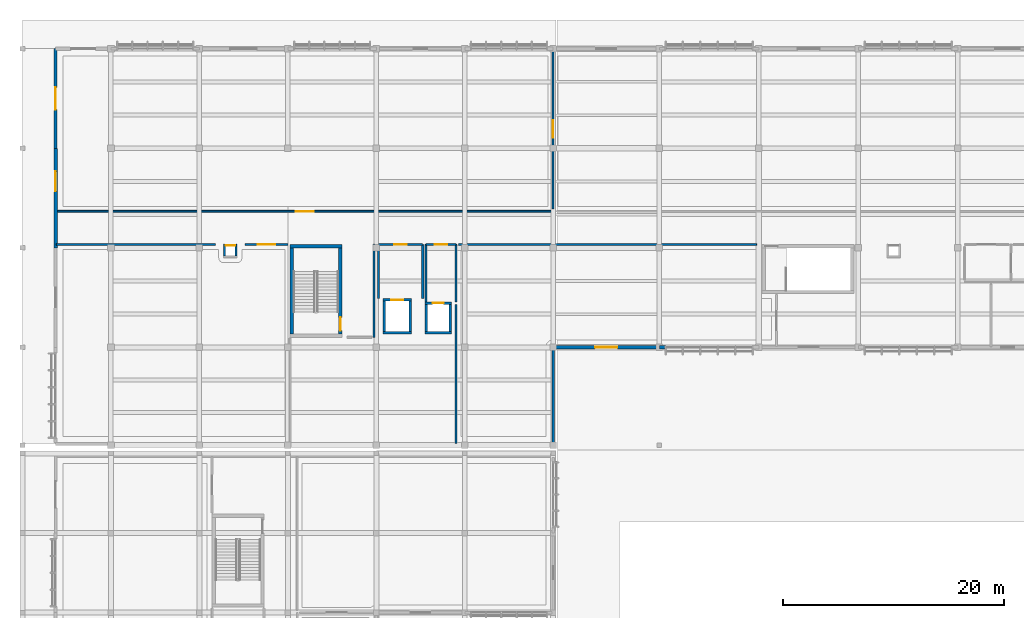
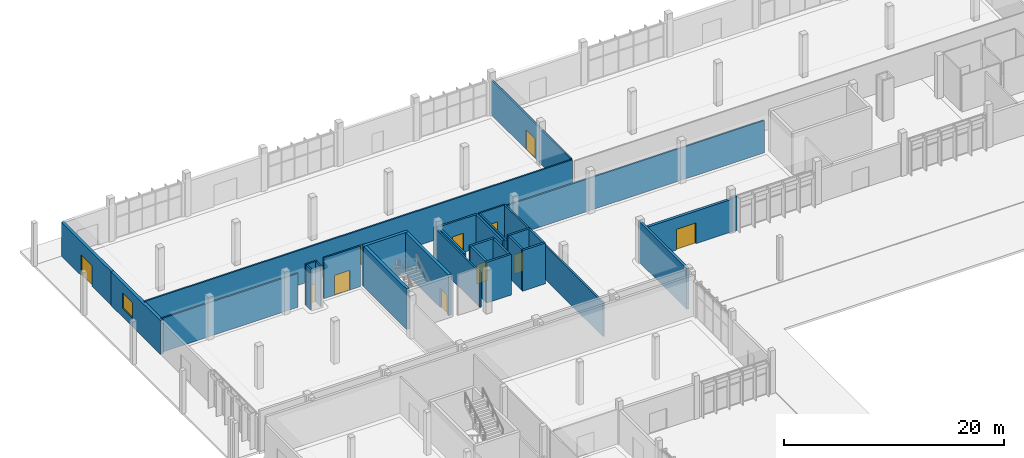
# One storey, part 122 of 151: 32 walls, 11 doors, 1 window, 12 openings.
"""IFC4 building model written with IfcOpenShell, lengths in metres."""

from ifc_helpers import new_model, si_unit, direction, frame, frame_2d, origin, place, context, subcontext, project, spatial, rectangle, extrude, material, layer, layer_set, type_object, element, fill, save


model = new_model("IFC4")

# Units and contexts
model_context = context("Model", 3, precision=1e-05, world=origin(), true_north=direction((0.0, 1.0)))
body_context = subcontext(model_context, "Body", "Model", "MODEL_VIEW")
ifc_project = project(units=[si_unit("LENGTHUNIT", "METRE"), si_unit("AREAUNIT", "SQUARE_METRE"), si_unit("VOLUMEUNIT", "CUBIC_METRE"), si_unit("PLANEANGLEUNIT", "RADIAN"), si_unit("MASSUNIT", "GRAM", prefix="KILO")], contexts=[model_context])

# Site, building, storey
site_placement = place(None, origin())
site = spatial("IfcSite", under=ifc_project, at=site_placement, CompositionType="ELEMENT")
building_placement = place(site_placement, origin())
building = spatial("IfcBuilding", under=site, at=building_placement, Name="Chiffa Square Polytechnic", CompositionType="ELEMENT")
storey_placement = place(building_placement, origin())
storey = spatial("IfcBuildingStorey", under=building, at=storey_placement, Name="L00", CompositionType="ELEMENT", Elevation=0.0)

# Walls
ifc_material_1 = material(Name="Concrete C40/50", Category="concrete")
ifc_layer_1 = layer(ifc_material_1, 0.300048828125, Name="Concrete C40/50")
ifc_layer_set_1 = layer_set([ifc_layer_1], Name="Concrete C40/50")
wall_type_1 = type_object("IfcWallType", Name="WL-CORE-300", PredefinedType="SHEAR", material=ifc_layer_set_1)
wall_1_placement = place(storey_placement, frame((24.199951171875, 112.949951171875, 0.0), z_axis=(0.0, 0.0, 1.0), x_axis=(1.0, 0.0, 0.0)))
element("IfcWall", 1, at=wall_1_placement, inside=storey, type_object=wall_type_1, Name="Core or enclosure wall WC-CORE-V5A-L00-NORTH", PredefinedType="SHEAR", context=body_context, shape_type="SweptSolid", body=[
    extrude(rectangle(XDim=4.699951171875, YDim=0.300048828125, at=frame_2d((2.35009765625, 0.0))), origin(), (0.0, 0.0, 1.0), 4.52001953125),
])
wall_2_placement = place(storey_placement, frame((24.35009765625, 105.0, 0.0), z_axis=(0.0, 0.0, 1.0), x_axis=(0.0, 1.0, 0.0)))
element("IfcWall", 2, at=wall_2_placement, inside=storey, type_object=wall_type_1, Name="Core or enclosure wall WC-CORE-V5A-L00-WEST", PredefinedType="SHEAR", context=body_context, shape_type="SweptSolid", body=[
    extrude(rectangle(XDim=7.800048828125, YDim=0.300048828125, at=frame_2d((3.89990234375, 0.0))), origin(), (0.0, 0.0, 1.0), 4.52001953125),
])

# Wall, opening, door
wall_3_placement = place(storey_placement, frame((28.75, 105.0, 0.0), z_axis=(0.0, 0.0, 1.0), x_axis=(0.0, 1.0, 0.0)))
wall_3 = element("IfcWall", 3, at=wall_3_placement, inside=storey, type_object=wall_type_1, Name="Core or enclosure wall WC-CORE-V5A-L00-EAST", PredefinedType="SHEAR", context=body_context, shape_type="SweptSolid", body=[
    extrude(rectangle(XDim=7.800048828125, YDim=0.300048828125, at=frame_2d((3.89990234375, 0.0))), origin(), (0.0, 0.0, 1.0), 4.52001953125),
])
opening_1_placement = place(wall_3_placement, frame((0.300048828125, 0.0, 0.0)))
opening_1 = element("IfcOpeningElement", 4, at=opening_1_placement, cuts=wall_3, Name="Opening DS-L00-032", PredefinedType="OPENING", context=body_context, shape_type="SweptSolid", body=[
    extrude(rectangle(XDim=1.199951171875, YDim=2.14990234375, at=frame_2d((0.60009765625, 1.074951171875))), frame((0.0, 0.16015625, 0.0), z_axis=(0.0, -1.0, 0.0), x_axis=(1.0, 0.0, 0.0)), (0.0, 0.0, 1.0), 0.320068359375),
])
ifc_material_2 = material(Name="Fire-rated painted steel leaf", Category="steel")
door_type_1 = type_object("IfcDoorType", Name="DR-STAIR-1200", OperationType="NOTDEFINED", PredefinedType="DOOR", material=ifc_material_2)
door_1_placement = place(opening_1_placement, origin())
door_1 = element("IfcDoor", 5, at=door_1_placement, inside=storey, type_object=door_type_1, Name="Enclosure door DS-L00-032", OperationType="SINGLE_SWING_RIGHT", OverallHeight=2.14990234375, OverallWidth=1.199951171875, PredefinedType="DOOR", context=body_context, shape_type="SweptSolid", body=[
    extrude(rectangle(XDim=1.199951171875, YDim=2.14990234375, at=frame_2d((0.60009765625, 1.074951171875))), frame((0.0, 0.02490234375, 0.0), z_axis=(0.0, -1.0, 0.0), x_axis=(1.0, 0.0, 0.0)), (0.0, 0.0, 1.0), 0.050048828125),
])
fill(opening_1, door_1)

ifc_material_3 = material(Name="Precast concrete C40/50", Category="concrete")
ifc_layer_2 = layer(ifc_material_3, 0.280029296875, Name="Precast concrete C40/50")
ifc_layer_set_2 = layer_set([ifc_layer_2], Name="Precast concrete C40/50")
wall_type_2 = type_object("IfcWallType", Name="WL-EXT-PC280", PredefinedType="SOLIDWALL", material=ifc_layer_set_2)
wall_4_placement = place(storey_placement, frame((48.0, 103.800048828125, 0.0), z_axis=(0.0, 0.0, 1.0), x_axis=(1.0, 0.0, 0.0)))
wall_4 = element("IfcWall", 6, at=wall_4_placement, inside=storey, type_object=wall_type_2, Name="Exterior wall WE-V5-L00-0223", PredefinedType="SOLIDWALL", context=body_context, shape_type="SweptSolid", body=[
    extrude(rectangle(XDim=9.60009765625, YDim=0.280029296875, at=frame_2d((4.800048828125, 0.0))), origin(), (0.0, 0.0, 1.0), 3.60498046875),
])
opening_2_placement = place(wall_4_placement, frame((3.800048828125, 0.0, 0.0)))
opening_2 = element("IfcOpeningElement", 7, at=opening_2_placement, cuts=wall_4, Name="Opening DE-L00-042", PredefinedType="OPENING", context=body_context, shape_type="SweptSolid", body=[
    extrude(rectangle(XDim=2.0, YDim=2.300048828125, at=frame_2d((1.0, 1.14990234375))), frame((0.0, 0.14990234375, 0.0), z_axis=(0.0, -1.0, 0.0), x_axis=(1.0, 0.0, 0.0)), (0.0, 0.0, 1.0), 0.300048828125),
])
ifc_material_4 = material(Name="Aluminium and laminated safety glass", Category="aluminium")
door_type_2 = type_object("IfcDoorType", Name="DR-EXIT-DBL-2000", OperationType="DOUBLE_DOOR_SINGLE_SWING", PredefinedType="DOOR", material=ifc_material_4)
door_2_placement = place(opening_2_placement, origin())
door_2 = element("IfcDoor", 8, at=door_2_placement, inside=storey, type_object=door_type_2, Name="Exterior door DE-L00-042", OperationType="DOUBLE_DOOR_SINGLE_SWING", OverallHeight=2.300048828125, OverallWidth=2.0, PredefinedType="DOOR", context=body_context, shape_type="SweptSolid", body=[
    extrude(rectangle(XDim=2.0, YDim=2.300048828125, at=frame_2d((1.0, 1.14990234375))), frame((0.0, 0.02490234375, 0.0), z_axis=(0.0, -1.0, 0.0), x_axis=(1.0, 0.0, 0.0)), (0.0, 0.0, 1.0), 0.050048828125),
])
fill(opening_2, door_2)

wall_5_placement = place(storey_placement, frame((3.0, 130.800048828125, 0.0), z_axis=(0.0, 0.0, 1.0), x_axis=(0.0, -1.0, 0.0)))
wall_5 = element("IfcWall", 9, at=wall_5_placement, inside=storey, type_object=wall_type_2, Name="Exterior wall WE-V5-L00-0253", PredefinedType="SOLIDWALL", context=body_context, shape_type="SweptSolid", body=[
    extrude(rectangle(XDim=9.0, YDim=0.280029296875, at=frame_2d((4.5, 0.0))), origin(), (0.0, 0.0, 1.0), 3.7548828125),
])
opening_3_placement = place(wall_5_placement, frame((3.5, 0.0, 0.0)))
opening_3 = element("IfcOpeningElement", 10, at=opening_3_placement, cuts=wall_5, Name="Opening DE-L00-057", PredefinedType="OPENING", context=body_context, shape_type="SweptSolid", body=[
    extrude(rectangle(XDim=2.0, YDim=2.300048828125, at=frame_2d((1.0, 1.14990234375))), frame((0.0, 0.14990234375, 0.0), z_axis=(0.0, -1.0, 0.0), x_axis=(1.0, 0.0, 0.0)), (0.0, 0.0, 1.0), 0.300048828125),
])
door_3_placement = place(opening_3_placement, origin())
door_3 = element("IfcDoor", 11, at=door_3_placement, inside=storey, type_object=door_type_2, Name="Exterior door DE-L00-057", OperationType="DOUBLE_DOOR_SINGLE_SWING", OverallHeight=2.300048828125, OverallWidth=2.0, PredefinedType="DOOR", context=body_context, shape_type="SweptSolid", body=[
    extrude(rectangle(XDim=2.0, YDim=2.300048828125, at=frame_2d((1.0, 1.14990234375))), frame((0.0, 0.02490234375, 0.0), z_axis=(0.0, -1.0, 0.0), x_axis=(1.0, 0.0, 0.0)), (0.0, 0.0, 1.0), 0.050048828125),
])
fill(opening_3, door_3)

# Wall
ifc_layer_3 = layer(ifc_material_3, 0.320068359375, Name="Precast concrete C40/50")
ifc_layer_set_3 = layer_set([ifc_layer_3], Name="Precast concrete C40/50")
wall_type_3 = type_object("IfcWallType", Name="WL-EXT-PC320", PredefinedType="SOLIDWALL", material=ifc_layer_set_3)
wall_6_placement = place(storey_placement, frame((57.60009765625, 103.800048828125, 0.0), z_axis=(0.0, 0.0, 1.0), x_axis=(1.0, 0.0, 0.0)))
element("IfcWall", 12, at=wall_6_placement, inside=storey, type_object=wall_type_3, Name="Facade column pier V5-L00-0224L", PredefinedType="SOLIDWALL", context=body_context, shape_type="SweptSolid", body=[
    extrude(rectangle(XDim=0.539794921875, YDim=0.320068359375, at=frame_2d((0.27001953125, 0.0))), origin(), (0.0, 0.0, 1.0), 3.7548828125),
])

# Wall, opening, window
wall_7_placement = place(storey_placement, frame((3.0, 121.800048828125, 0.0), z_axis=(0.0, 0.0, 1.0), x_axis=(0.0, -1.0, 0.0)))
wall_7 = element("IfcWall", 13, at=wall_7_placement, inside=storey, type_object=wall_type_3, Name="Exterior wall WE-V5-L00-0254", PredefinedType="SOLIDWALL", context=body_context, shape_type="SweptSolid", body=[
    extrude(rectangle(XDim=9.0, YDim=0.320068359375, at=frame_2d((4.5, 0.0))), origin(), (0.0, 0.0, 1.0), 3.7548828125),
])
opening_4_placement = place(wall_7_placement, frame((2.10009765625, 0.0, 0.949951171875)))
opening_4 = element("IfcOpeningElement", 14, at=opening_4_placement, cuts=wall_7, Name="Opening W-05", PredefinedType="OPENING", context=body_context, shape_type="SweptSolid", body=[
    extrude(rectangle(XDim=1.800048828125, YDim=1.75, at=frame_2d((0.89990234375, 0.875))), frame((0.0, 0.169921875, 0.0), z_axis=(0.0, -1.0, 0.0), x_axis=(1.0, 0.0, 0.0)), (0.0, 0.0, 1.0), 0.340087890625),
])
ifc_material_5 = material(Name="Double glazing in thermally broken aluminium frame", Category="aluminium")
window_type = type_object("IfcWindowType", Name="WIN-LAB-1800X1750", PartitioningType="DOUBLE_PANEL_VERTICAL", PredefinedType="WINDOW", material=ifc_material_5)
window_placement = place(opening_4_placement, origin())
window = element("IfcWindow", 15, at=window_placement, inside=storey, type_object=window_type, Name="Facade window WN-L00-0151", OverallHeight=1.75, OverallWidth=1.800048828125, PartitioningType="DOUBLE_PANEL_VERTICAL", PredefinedType="WINDOW", context=body_context, shape_type="SweptSolid", body=[
    extrude(rectangle(XDim=1.800048828125, YDim=1.75, at=frame_2d((0.89990234375, 0.875))), frame((0.0, 0.030029296875, 0.0), z_axis=(0.0, -1.0, 0.0), x_axis=(1.0, 0.0, 0.0)), (0.0, 0.0, 1.0), 0.06005859375),
])
fill(opening_4, window)

# Wall, opening, door
ifc_material_6 = material(Name="Autoclaved aerated concrete blockwork", Category="masonry")
ifc_layer_4 = layer(ifc_material_6, 0.199951171875, Name="Autoclaved aerated concrete blockwork")
ifc_layer_set_4 = layer_set([ifc_layer_4], Name="Autoclaved aerated concrete blockwork")
wall_type_4 = type_object("IfcWallType", Name="WL-PART-EI120-200", PredefinedType="PARTITIONING", material=ifc_layer_set_4)
wall_8_placement = place(storey_placement, frame((32.199951171875, 113.10009765625, 0.0), z_axis=(0.0, 0.0, 1.0), x_axis=(1.0, 0.0, 0.0)))
wall_8 = element("IfcWall", 16, at=wall_8_placement, inside=storey, type_object=wall_type_4, Name="Lift lobby rated enclosure WP-LOB-LF-V5-L00-NORTH", PredefinedType="PARTITIONING", context=body_context, shape_type="SweptSolid", body=[
    extrude(rectangle(XDim=4.0, YDim=0.199951171875, at=frame_2d((2.0, 0.0))), origin(), (0.0, 0.0, 1.0), 3.7548828125),
])
opening_5_placement = place(wall_8_placement, frame((1.425048828125, 0.0, 0.0)))
opening_5 = element("IfcOpeningElement", 17, at=opening_5_placement, cuts=wall_8, Name="Opening DI-L00-033", PredefinedType="OPENING", context=body_context, shape_type="SweptSolid", body=[
    extrude(rectangle(XDim=1.14990234375, YDim=2.14990234375, at=frame_2d((0.574951171875, 1.074951171875))), frame((0.0, 0.10986328125, 0.0), z_axis=(0.0, -1.0, 0.0), x_axis=(1.0, 0.0, 0.0)), (0.0, 0.0, 1.0), 0.219970703125),
])
ifc_material_7 = material(Name="Fire-rated steel door leaf", Category="steel")
door_type_3 = type_object("IfcDoorType", Name="DR-LOBBY-FD120", OperationType="NOTDEFINED", PredefinedType="DOOR", material=ifc_material_7)
door_4_placement = place(opening_5_placement, origin())
door_4 = element("IfcDoor", 18, at=door_4_placement, inside=storey, type_object=door_type_3, Name="Lift lobby fire door DI-L00-033", OperationType="SINGLE_SWING_RIGHT", OverallHeight=2.14990234375, OverallWidth=1.14990234375, PredefinedType="DOOR", context=body_context, shape_type="SweptSolid", body=[
    extrude(rectangle(XDim=1.14990234375, YDim=2.14990234375, at=frame_2d((0.574951171875, 1.074951171875))), frame((0.0, 0.02490234375, 0.0), z_axis=(0.0, -1.0, 0.0), x_axis=(1.0, 0.0, 0.0)), (0.0, 0.0, 1.0), 0.050048828125),
])
fill(opening_5, door_4)

# Walls
for number, where, z_axis, x_axis, name in (
    (19, (32.199951171875, 108.199951171875, 0.0), (0.0, 0.0, 1.0), (0.0, 1.0, 0.0), "Lift lobby rated enclosure WP-LOB-LF-V5-L00-WEST"),
    (20, (36.199951171875, 108.199951171875, 0.0), (0.0, 0.0, 1.0), (0.0, 1.0, 0.0), "Lift lobby rated enclosure WP-LOB-LF-V5-L00-EAST"),
):
    element("IfcWall", number, at=place(storey_placement, frame(where, z_axis=z_axis, x_axis=x_axis)), inside=storey, type_object=wall_type_4, Name=name, PredefinedType="PARTITIONING", context=body_context, shape_type="SweptSolid", body=[
        extrude(rectangle(XDim=4.900146484375, YDim=0.199951171875, at=frame_2d((2.4501953125, 0.0))), origin(), (0.0, 0.0, 1.0), 3.7548828125),
    ])

# Wall, opening, door
ifc_material_8 = material(Name="Gypsum board on acoustic steel stud", Category="steel")
ifc_layer_5 = layer(ifc_material_8, 0.159912109375, Name="Gypsum board on acoustic steel stud")
ifc_layer_set_5 = layer_set([ifc_layer_5], Name="Gypsum board on acoustic steel stud")
wall_type_5 = type_object("IfcWallType", Name="WL-PART-EI60-160", PredefinedType="PARTITIONING", material=ifc_layer_set_5)
wall_9_placement = place(storey_placement, frame((18.199951171875, 113.02001953125, 0.0), z_axis=(0.0, 0.0, 1.0), x_axis=(1.0, 0.0, 0.0)))
wall_9 = element("IfcWall", 21, at=wall_9_placement, inside=storey, type_object=wall_type_5, Name="Core or enclosure wall WP-RSR-V5-W-L00-NORTH", PredefinedType="PARTITIONING", context=body_context, shape_type="SweptSolid", body=[
    extrude(rectangle(XDim=1.199951171875, YDim=0.159912109375, at=frame_2d((0.60009765625, 0.0))), origin(), (0.0, 0.0, 1.0), 4.52001953125),
])
opening_6_placement = place(wall_9_placement, frame((0.175048828125, 0.0, 0.0)))
opening_6 = element("IfcOpeningElement", 22, at=opening_6_placement, cuts=wall_9, Name="Opening DI-L00-R02", PredefinedType="OPENING", context=body_context, shape_type="SweptSolid", body=[
    extrude(rectangle(XDim=0.85009765625, YDim=2.02001953125, at=frame_2d((0.425048828125, 1.010009765625))), frame((0.0, 0.08984375, 0.0), z_axis=(0.0, -1.0, 0.0), x_axis=(1.0, 0.0, 0.0)), (0.0, 0.0, 1.0), 0.179931640625),
])
ifc_material_9 = material(Name="Fire-rated steel riser access door", Category="steel")
door_type_4 = type_object("IfcDoorType", Name="DR-RISER-850", OperationType="NOTDEFINED", PredefinedType="DOOR", material=ifc_material_9)
door_5_placement = place(opening_6_placement, origin())
door_5 = element("IfcDoor", 23, at=door_5_placement, inside=storey, type_object=door_type_4, Name="Enclosure door DI-L00-R02", OperationType="SINGLE_SWING_RIGHT", OverallHeight=2.02001953125, OverallWidth=0.85009765625, PredefinedType="DOOR", context=body_context, shape_type="SweptSolid", body=[
    extrude(rectangle(XDim=0.85009765625, YDim=2.02001953125, at=frame_2d((0.425048828125, 1.010009765625))), frame((0.0, 0.02490234375, 0.0), z_axis=(0.0, -1.0, 0.0), x_axis=(1.0, 0.0, 0.0)), (0.0, 0.0, 1.0), 0.050048828125),
])
fill(opening_6, door_5)

# Walls
for number, where, z_axis, x_axis, name in (
    (24, (18.280029296875, 112.06005859375, 0.0), (0.0, 0.0, 1.0), (0.0, 1.0, 0.0), "Core or enclosure wall WP-RSR-V5-W-L00-WEST"),
    (25, (19.320068359375, 112.06005859375, 0.0), (0.0, 0.0, 1.0), (0.0, 1.0, 0.0), "Core or enclosure wall WP-RSR-V5-W-L00-EAST"),
):
    element("IfcWall", number, at=place(storey_placement, frame(where, z_axis=z_axis, x_axis=x_axis)), inside=storey, type_object=wall_type_5, Name=name, PredefinedType="PARTITIONING", context=body_context, shape_type="SweptSolid", body=[
        extrude(rectangle(XDim=0.8798828125, YDim=0.159912109375, at=frame_2d((0.43994140625, 0.0))), origin(), (0.0, 0.0, 1.0), 4.52001953125),
    ])

# Wall, opening, door
wall_10_placement = place(storey_placement, frame((36.5, 113.10009765625, 0.0), z_axis=(0.0, 0.0, 1.0), x_axis=(1.0, 0.0, 0.0)))
wall_10 = element("IfcWall", 26, at=wall_10_placement, inside=storey, type_object=wall_type_5, Name="Lift lobby rated enclosure WP-LOB-LP-V5A-L00-NORTH", PredefinedType="PARTITIONING", context=body_context, shape_type="SweptSolid", body=[
    extrude(rectangle(XDim=2.699951171875, YDim=0.159912109375, at=frame_2d((1.35009765625, 0.0))), origin(), (0.0, 0.0, 1.0), 3.7548828125),
])
opening_7_placement = place(wall_10_placement, frame((0.800048828125, 0.0, 0.0)))
opening_7 = element("IfcOpeningElement", 27, at=opening_7_placement, cuts=wall_10, Name="Opening DI-L00-039", PredefinedType="OPENING", context=body_context, shape_type="SweptSolid", body=[
    extrude(rectangle(XDim=1.10009765625, YDim=2.14990234375, at=frame_2d((0.550048828125, 1.074951171875))), frame((0.0, 0.08984375, 0.0), z_axis=(0.0, -1.0, 0.0), x_axis=(1.0, 0.0, 0.0)), (0.0, 0.0, 1.0), 0.179931640625),
])
ifc_material_10 = material(Name="Solid core ash veneer door")
door_type_5 = type_object("IfcDoorType", Name="DR-INT-1100", OperationType="NOTDEFINED", PredefinedType="DOOR", material=ifc_material_10)
door_6_placement = place(opening_7_placement, origin())
door_6 = element("IfcDoor", 28, at=door_6_placement, inside=storey, type_object=door_type_5, Name="Lift lobby fire door DI-L00-039", OperationType="SINGLE_SWING_RIGHT", OverallHeight=2.14990234375, OverallWidth=1.10009765625, PredefinedType="DOOR", context=body_context, shape_type="SweptSolid", body=[
    extrude(rectangle(XDim=1.10009765625, YDim=2.14990234375, at=frame_2d((0.550048828125, 1.074951171875))), frame((0.0, 0.02490234375, 0.0), z_axis=(0.0, -1.0, 0.0), x_axis=(1.0, 0.0, 0.0)), (0.0, 0.0, 1.0), 0.050048828125),
])
fill(opening_7, door_6)

# Walls
for number, where, z_axis, x_axis, name in (
    (29, (36.5, 107.89990234375, 0.0), (0.0, 0.0, 1.0), (0.0, 1.0, 0.0), "Lift lobby rated enclosure WP-LOB-LP-V5A-L00-WEST"),
    (30, (39.199951171875, 107.89990234375, 0.0), (0.0, 0.0, 1.0), (0.0, 1.0, 0.0), "Lift lobby rated enclosure WP-LOB-LP-V5A-L00-EAST"),
):
    element("IfcWall", number, at=place(storey_placement, frame(where, z_axis=z_axis, x_axis=x_axis)), inside=storey, type_object=wall_type_5, Name=name, PredefinedType="PARTITIONING", context=body_context, shape_type="SweptSolid", body=[
        extrude(rectangle(XDim=5.2001953125, YDim=0.159912109375, at=frame_2d((2.60009765625, 0.0))), origin(), (0.0, 0.0, 1.0), 3.7548828125),
    ])
wall_11_placement = place(storey_placement, frame((39.43994140625, 113.10009765625, 0.0), z_axis=(0.0, 0.0, 1.0), x_axis=(1.0, 0.0, 0.0)))
element("IfcWall", 31, at=wall_11_placement, inside=storey, type_object=wall_type_5, Name="Interior partition WP-V5-L00-0173", PredefinedType="PARTITIONING", context=body_context, shape_type="SweptSolid", body=[
    extrude(rectangle(XDim=26.968994140625, YDim=0.159912109375, at=frame_2d((13.484375, 0.0))), origin(), (0.0, 0.0, 1.0), 3.60498046875),
])

# Wall, opening, door
wall_12_placement = place(storey_placement, frame((20.14599609375, 113.10009765625, 0.0), z_axis=(0.0, 0.0, 1.0), x_axis=(1.0, 0.0, 0.0)))
wall_12 = element("IfcWall", 32, at=wall_12_placement, inside=storey, type_object=wall_type_5, Name="Interior partition WP-V5-L00-0175", PredefinedType="PARTITIONING", context=body_context, shape_type="SweptSolid", body=[
    extrude(rectangle(XDim=3.866943359375, YDim=0.159912109375, at=frame_2d((1.93359375, 0.0))), origin(), (0.0, 0.0, 1.0), 4.52001953125),
])
opening_8_placement = place(wall_12_placement, frame((1.134033203125, 0.0, 0.0)))
opening_8 = element("IfcOpeningElement", 33, at=opening_8_placement, cuts=wall_12, Name="Opening DI-L00-103", PredefinedType="OPENING", context=body_context, shape_type="SweptSolid", body=[
    extrude(rectangle(XDim=1.60009765625, YDim=2.199951171875, at=frame_2d((0.800048828125, 1.10009765625))), frame((0.0, 0.08984375, 0.0), z_axis=(0.0, -1.0, 0.0), x_axis=(1.0, 0.0, 0.0)), (0.0, 0.0, 1.0), 0.179931640625),
])
ifc_material_11 = material(Name="Vision-panel timber laboratory door", Category="wood")
door_type_6 = type_object("IfcDoorType", Name="DR-LAB-DBL-1600", OperationType="DOUBLE_DOOR_SINGLE_SWING", PredefinedType="DOOR", material=ifc_material_11)
door_7_placement = place(opening_8_placement, origin())
door_7 = element("IfcDoor", 34, at=door_7_placement, inside=storey, type_object=door_type_6, Name="Interior room door DI-L00-103", OperationType="DOUBLE_DOOR_SINGLE_SWING", OverallHeight=2.199951171875, OverallWidth=1.60009765625, PredefinedType="DOOR", context=body_context, shape_type="SweptSolid", body=[
    extrude(rectangle(XDim=1.60009765625, YDim=2.199951171875, at=frame_2d((0.800048828125, 1.10009765625))), frame((0.0, 0.02490234375, 0.0), z_axis=(0.0, -1.0, 0.0), x_axis=(1.0, 0.0, 0.0)), (0.0, 0.0, 1.0), 0.050048828125),
])
fill(opening_8, door_7)

# Wall
wall_13_placement = place(storey_placement, frame((3.054931640625, 113.10009765625, 0.0), z_axis=(0.0, 0.0, 1.0), x_axis=(1.0, 0.0, 0.0)))
element("IfcWall", 35, at=wall_13_placement, inside=storey, type_object=wall_type_5, Name="Interior partition WP-V5-L00-0176", PredefinedType="PARTITIONING", context=body_context, shape_type="SweptSolid", body=[
    extrude(rectangle(XDim=14.399169921875, YDim=0.159912109375, at=frame_2d((7.19970703125, 0.0))), origin(), (0.0, 0.0, 1.0), 3.7548828125),
])

# Wall, opening, door
wall_14_placement = place(storey_placement, frame((3.054931640625, 116.10009765625, 0.0), z_axis=(0.0, 0.0, 1.0), x_axis=(1.0, 0.0, 0.0)))
wall_14 = element("IfcWall", 36, at=wall_14_placement, inside=storey, type_object=wall_type_5, Name="Interior partition WP-V5-L00-0189", PredefinedType="PARTITIONING", context=body_context, shape_type="SweptSolid", body=[
    extrude(rectangle(XDim=44.945068359375, YDim=0.159912109375, at=frame_2d((22.47265625, 0.0))), origin(), (0.0, 0.0, 1.0), 3.85498046875),
])
opening_9_placement = place(wall_14_placement, frame((21.672119140625, 0.0, 0.0)))
opening_9 = element("IfcOpeningElement", 37, at=opening_9_placement, cuts=wall_14, Name="Opening DI-L00-105", PredefinedType="OPENING", context=body_context, shape_type="SweptSolid", body=[
    extrude(rectangle(XDim=1.60009765625, YDim=2.199951171875, at=frame_2d((0.800048828125, 1.10009765625))), frame((0.0, 0.08984375, 0.0), z_axis=(0.0, -1.0, 0.0), x_axis=(1.0, 0.0, 0.0)), (0.0, 0.0, 1.0), 0.179931640625),
])
door_8_placement = place(opening_9_placement, origin())
door_8 = element("IfcDoor", 38, at=door_8_placement, inside=storey, type_object=door_type_6, Name="Interior room door DI-L00-105", OperationType="DOUBLE_DOOR_SINGLE_SWING", OverallHeight=2.199951171875, OverallWidth=1.60009765625, PredefinedType="DOOR", context=body_context, shape_type="SweptSolid", body=[
    extrude(rectangle(XDim=1.60009765625, YDim=2.199951171875, at=frame_2d((0.800048828125, 1.10009765625))), frame((0.0, 0.02490234375, 0.0), z_axis=(0.0, -1.0, 0.0), x_axis=(1.0, 0.0, 0.0)), (0.0, 0.0, 1.0), 0.050048828125),
])
fill(opening_9, door_8)

# Walls
wall_15_placement = place(storey_placement, frame((31.800048828125, 104.699951171875, 0.0), z_axis=(0.0, 0.0, 1.0), x_axis=(0.0, 1.0, 0.0)))
element("IfcWall", 39, at=wall_15_placement, inside=storey, type_object=wall_type_5, Name="Interior partition WP-V5-L00-0212", PredefinedType="PARTITIONING", context=body_context, shape_type="SweptSolid", body=[
    extrude(rectangle(XDim=8.400146484375, YDim=0.159912109375, at=frame_2d((4.2001953125, 0.0))), origin(), (0.0, 0.0, 1.0), 3.85498046875),
])
ifc_material_12 = material(Name="Gypsum board on twin steel stud", Category="steel")
ifc_layer_6 = layer(ifc_material_12, 0.18505859375, Name="Gypsum board on twin steel stud")
ifc_layer_set_6 = layer_set([ifc_layer_6], Name="Gypsum board on twin steel stud")
wall_type_6 = type_object("IfcWallType", Name="WL-PART-EI90-185", PredefinedType="PARTITIONING", material=ifc_layer_set_6)
wall_16_placement = place(storey_placement, frame((39.199951171875, 95.10498046875, 0.0), z_axis=(0.0, 0.0, 1.0), x_axis=(0.0, 1.0, 0.0)))
element("IfcWall", 40, at=wall_16_placement, inside=storey, type_object=wall_type_6, Name="Interior partition WP-V5-L00-0174", PredefinedType="PARTITIONING", context=body_context, shape_type="SweptSolid", body=[
    extrude(rectangle(XDim=12.554931640625, YDim=0.18505859375, at=frame_2d((6.27734375, 0.0))), origin(), (0.0, 0.0, 1.0), 3.7548828125),
])

# Wall, opening, door
wall_17_placement = place(storey_placement, frame((48.0, 116.320068359375, 0.0), z_axis=(0.0, 0.0, 1.0), x_axis=(0.0, 1.0, 0.0)))
wall_17 = element("IfcWall", 41, at=wall_17_placement, inside=storey, type_object=wall_type_6, Name="Interior partition WP-V5-L00-0190", PredefinedType="PARTITIONING", context=body_context, shape_type="SweptSolid", body=[
    extrude(rectangle(XDim=14.425048828125, YDim=0.18505859375, at=frame_2d((7.21240234375, 0.0))), origin(), (0.0, 0.0, 1.0), 3.85498046875),
])
opening_10_placement = place(wall_17_placement, frame((6.4130859375, 0.0, 0.0)))
opening_10 = element("IfcOpeningElement", 42, at=opening_10_placement, cuts=wall_17, Name="Opening DI-L00-106", PredefinedType="OPENING", context=body_context, shape_type="SweptSolid", body=[
    extrude(rectangle(XDim=1.60009765625, YDim=2.199951171875, at=frame_2d((0.800048828125, 1.10009765625))), frame((0.0, 0.1025390625, 0.0), z_axis=(0.0, -1.0, 0.0), x_axis=(1.0, 0.0, 0.0)), (0.0, 0.0, 1.0), 0.205078125),
])
door_9_placement = place(opening_10_placement, origin())
door_9 = element("IfcDoor", 43, at=door_9_placement, inside=storey, type_object=door_type_6, Name="Interior room door DI-L00-106", OperationType="DOUBLE_DOOR_SINGLE_SWING", OverallHeight=2.199951171875, OverallWidth=1.60009765625, PredefinedType="DOOR", context=body_context, shape_type="SweptSolid", body=[
    extrude(rectangle(XDim=1.60009765625, YDim=2.199951171875, at=frame_2d((0.800048828125, 1.10009765625))), frame((0.0, 0.02490234375, 0.0), z_axis=(0.0, -1.0, 0.0), x_axis=(1.0, 0.0, 0.0)), (0.0, 0.0, 1.0), 0.050048828125),
])
fill(opening_10, door_9)

# Wall
ifc_material_13 = material(Name="Concrete C35/45", Category="concrete")
ifc_layer_7 = layer(ifc_material_13, 0.219970703125, Name="Concrete C35/45")
ifc_layer_set_7 = layer_set([ifc_layer_7], Name="Concrete C35/45")
wall_type_7 = type_object("IfcWallType", Name="WL-SHAFT-220", PredefinedType="SHEAR", material=ifc_layer_set_7)
wall_18_placement = place(storey_placement, frame((32.60009765625, 105.110107421875, 0.0), z_axis=(0.0, 0.0, 1.0), x_axis=(1.0, 0.0, 0.0)))
element("IfcWall", 44, at=wall_18_placement, inside=storey, type_object=wall_type_7, Name="Core or enclosure wall WS-LF-V5-L00-SOUTH", PredefinedType="SHEAR", context=body_context, shape_type="SweptSolid", body=[
    extrude(rectangle(XDim=2.599853515625, YDim=0.219970703125, at=frame_2d((1.2998046875, 0.0))), origin(), (0.0, 0.0, 1.0), 4.52001953125),
])

# Wall, opening, door
wall_19_placement = place(storey_placement, frame((32.60009765625, 108.090087890625, 0.0), z_axis=(0.0, 0.0, 1.0), x_axis=(1.0, 0.0, 0.0)))
wall_19 = element("IfcWall", 45, at=wall_19_placement, inside=storey, type_object=wall_type_7, Name="Core or enclosure wall WS-LF-V5-L00-NORTH", PredefinedType="SHEAR", context=body_context, shape_type="SweptSolid", body=[
    extrude(rectangle(XDim=2.599853515625, YDim=0.219970703125, at=frame_2d((1.2998046875, 0.0))), origin(), (0.0, 0.0, 1.0), 4.52001953125),
])
opening_11_placement = place(wall_19_placement, frame((0.75, 0.0, 0.0)))
opening_11 = element("IfcOpeningElement", 46, at=opening_11_placement, cuts=wall_19, Name="Opening LD-LF-V5-L00", PredefinedType="OPENING", context=body_context, shape_type="SweptSolid", body=[
    extrude(rectangle(XDim=1.10009765625, YDim=2.14990234375, at=frame_2d((0.550048828125, 1.074951171875))), frame((0.0, 0.1201171875, 0.0), z_axis=(0.0, -1.0, 0.0), x_axis=(1.0, 0.0, 0.0)), (0.0, 0.0, 1.0), 0.239990234375),
])
ifc_material_14 = material(Name="Brushed stainless steel sliding landing door", Category="steel")
door_type_7 = type_object("IfcDoorType", Name="DR-LIFT-1100", OperationType="SLIDING_TO_LEFT", PredefinedType="DOOR", material=ifc_material_14)
door_10_placement = place(opening_11_placement, origin())
door_10 = element("IfcDoor", 47, at=door_10_placement, inside=storey, type_object=door_type_7, Name="Enclosure door LD-LF-V5-L00", OperationType="SLIDING_TO_LEFT", OverallHeight=2.14990234375, OverallWidth=1.10009765625, PredefinedType="DOOR", context=body_context, shape_type="SweptSolid", body=[
    extrude(rectangle(XDim=1.10009765625, YDim=2.14990234375, at=frame_2d((0.550048828125, 1.074951171875))), frame((0.0, 0.02490234375, 0.0), z_axis=(0.0, -1.0, 0.0), x_axis=(1.0, 0.0, 0.0)), (0.0, 0.0, 1.0), 0.050048828125),
])
fill(opening_11, door_10)

# Walls
for number, where, z_axis, x_axis, name in (
    (48, (32.7099609375, 105.219970703125, 0.0), (0.0, 0.0, 1.0), (0.0, 1.0, 0.0), "Core or enclosure wall WS-LF-V5-L00-WEST"),
    (49, (35.090087890625, 105.219970703125, 0.0), (0.0, 0.0, 1.0), (0.0, 1.0, 0.0), "Core or enclosure wall WS-LF-V5-L00-EAST"),
):
    element("IfcWall", number, at=place(storey_placement, frame(where, z_axis=z_axis, x_axis=x_axis)), inside=storey, type_object=wall_type_7, Name=name, PredefinedType="SHEAR", context=body_context, shape_type="SweptSolid", body=[
        extrude(rectangle(XDim=2.760009765625, YDim=0.219970703125, at=frame_2d((1.3798828125, 0.0))), origin(), (0.0, 0.0, 1.0), 4.52001953125),
    ])
wall_20_placement = place(storey_placement, frame((36.39990234375, 105.110107421875, 0.0), z_axis=(0.0, 0.0, 1.0), x_axis=(1.0, 0.0, 0.0)))
element("IfcWall", 50, at=wall_20_placement, inside=storey, type_object=wall_type_7, Name="Core or enclosure wall WS-LP-V5A-L00-SOUTH", PredefinedType="SHEAR", context=body_context, shape_type="SweptSolid", body=[
    extrude(rectangle(XDim=2.400146484375, YDim=0.219970703125, at=frame_2d((1.2001953125, 0.0))), origin(), (0.0, 0.0, 1.0), 4.52001953125),
])

# Wall, opening, door
wall_21_placement = place(storey_placement, frame((36.39990234375, 107.7900390625, 0.0), z_axis=(0.0, 0.0, 1.0), x_axis=(1.0, 0.0, 0.0)))
wall_21 = element("IfcWall", 51, at=wall_21_placement, inside=storey, type_object=wall_type_7, Name="Core or enclosure wall WS-LP-V5A-L00-NORTH", PredefinedType="SHEAR", context=body_context, shape_type="SweptSolid", body=[
    extrude(rectangle(XDim=2.400146484375, YDim=0.219970703125, at=frame_2d((1.2001953125, 0.0))), origin(), (0.0, 0.0, 1.0), 4.52001953125),
])
opening_12_placement = place(wall_21_placement, frame((0.699951171875, 0.0, 0.0)))
opening_12 = element("IfcOpeningElement", 52, at=opening_12_placement, cuts=wall_21, Name="Opening LD-LP-V5A-L00", PredefinedType="OPENING", context=body_context, shape_type="SweptSolid", body=[
    extrude(rectangle(XDim=1.0, YDim=2.14990234375, at=frame_2d((0.5, 1.074951171875))), frame((0.0, 0.1201171875, 0.0), z_axis=(0.0, -1.0, 0.0), x_axis=(1.0, 0.0, 0.0)), (0.0, 0.0, 1.0), 0.239990234375),
])
door_type_8 = type_object("IfcDoorType", Name="DR-LIFT-1000", OperationType="SLIDING_TO_RIGHT", PredefinedType="DOOR", material=ifc_material_14)
door_11_placement = place(opening_12_placement, origin())
door_11 = element("IfcDoor", 53, at=door_11_placement, inside=storey, type_object=door_type_8, Name="Enclosure door LD-LP-V5A-L00", OperationType="SLIDING_TO_RIGHT", OverallHeight=2.14990234375, OverallWidth=1.0, PredefinedType="DOOR", context=body_context, shape_type="SweptSolid", body=[
    extrude(rectangle(XDim=1.0, YDim=2.14990234375, at=frame_2d((0.5, 1.074951171875))), frame((0.0, 0.02490234375, 0.0), z_axis=(0.0, -1.0, 0.0), x_axis=(1.0, 0.0, 0.0)), (0.0, 0.0, 1.0), 0.050048828125),
])
fill(opening_12, door_11)

# Walls
for number, where, z_axis, x_axis, name in (
    (54, (36.510009765625, 105.219970703125, 0.0), (0.0, 0.0, 1.0), (0.0, 1.0, 0.0), "Core or enclosure wall WS-LP-V5A-L00-WEST"),
    (55, (38.68994140625, 105.219970703125, 0.0), (0.0, 0.0, 1.0), (0.0, 1.0, 0.0), "Core or enclosure wall WS-LP-V5A-L00-EAST"),
):
    element("IfcWall", number, at=place(storey_placement, frame(where, z_axis=z_axis, x_axis=x_axis)), inside=storey, type_object=wall_type_7, Name=name, PredefinedType="SHEAR", context=body_context, shape_type="SweptSolid", body=[
        extrude(rectangle(XDim=2.4599609375, YDim=0.219970703125, at=frame_2d((1.22998046875, 0.0))), origin(), (0.0, 0.0, 1.0), 4.52001953125),
    ])
ifc_layer_8 = layer(ifc_material_13, 0.25, Name="Concrete C35/45")
ifc_layer_set_8 = layer_set([ifc_layer_8], Name="Concrete C35/45")
wall_type_8 = type_object("IfcWallType", Name="WL-SJ-250", PredefinedType="SHEAR", material=ifc_layer_set_8)
wall_22_placement = place(storey_placement, frame((48.0, 95.050048828125, 0.0), z_axis=(0.0, 0.0, 1.0), x_axis=(0.0, 1.0, 0.0)))
element("IfcWall", 56, at=wall_22_placement, inside=storey, type_object=wall_type_8, Name="Seismic-joint fire wall WE-V5-L00-0222", PredefinedType="SHEAR", context=body_context, shape_type="SweptSolid", body=[
    extrude(rectangle(XDim=8.75, YDim=0.25, at=frame_2d((4.375, 0.0))), origin(), (0.0, 0.0, 1.0), 4.52001953125),
])

save(model, "model.ifc")
